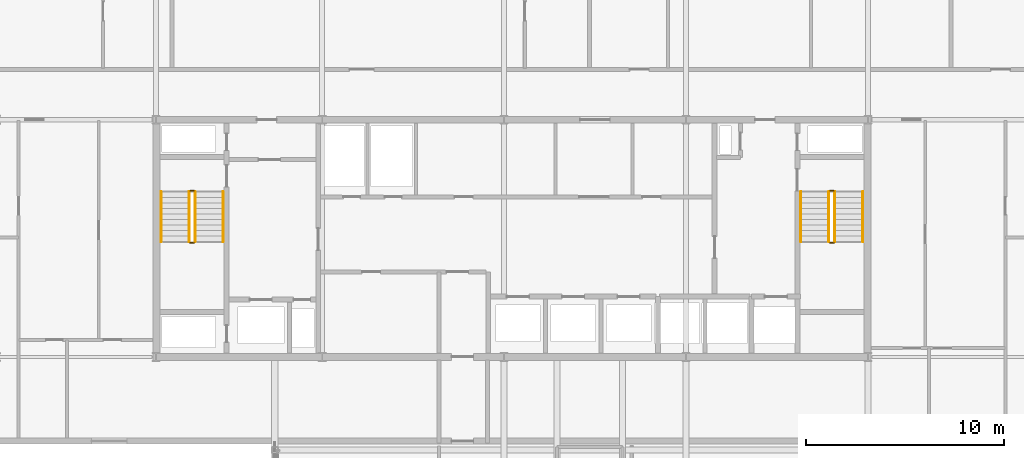
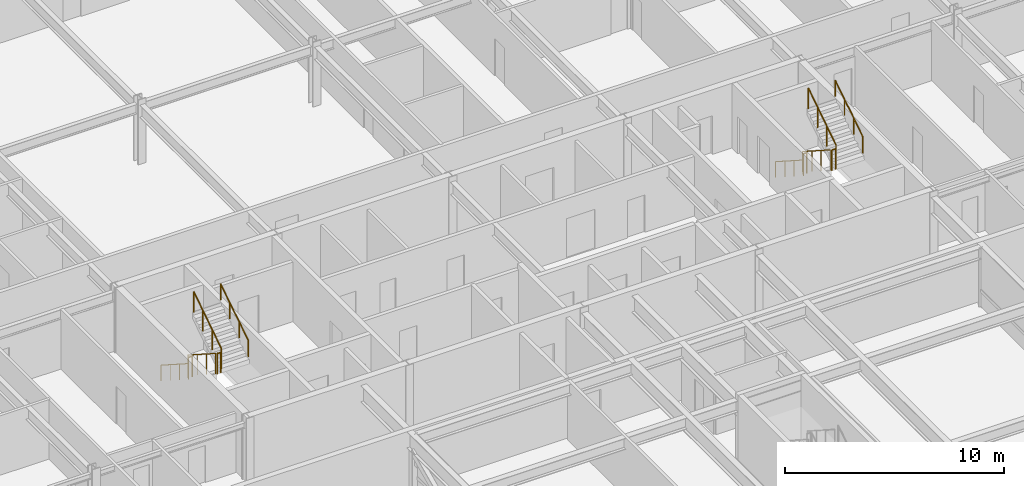
# One storey, part 35 of 36: 12 railings.
"""IFC4 building model written with IfcOpenShell, lengths in metres."""

from ifc_helpers import new_model, si_unit, direction, frame, origin, origin_2d, place, context, subcontext, project, spatial, circle, extrude, material, type_object, element, save


model = new_model("IFC4")

# Units and contexts
model_context = context("Model", 3, precision=1e-05, world=origin(), true_north=direction((0.0, 1.0)))
body_context = subcontext(model_context, "Body", "Model", "MODEL_VIEW")
ifc_project = project(units=[si_unit("LENGTHUNIT", "METRE"), si_unit("AREAUNIT", "SQUARE_METRE"), si_unit("VOLUMEUNIT", "CUBIC_METRE"), si_unit("PLANEANGLEUNIT", "RADIAN"), si_unit("MASSUNIT", "GRAM", prefix="KILO")], contexts=[model_context])

# Site, building, storey
site_placement = place(None, origin())
site = spatial("IfcSite", under=ifc_project, at=site_placement, CompositionType="ELEMENT")
building_placement = place(site_placement, origin())
building = spatial("IfcBuilding", under=site, at=building_placement, Name="Korimba Cascade Residences", CompositionType="ELEMENT")
storey_placement = place(building_placement, frame((0.0, 0.0, 146.5)))
storey = spatial("IfcBuildingStorey", under=building, at=storey_placement, Name="L42", CompositionType="ELEMENT", Elevation=146.5)

# Railings
ifc_material_1 = material(Name="Painted Steel Stairwell Guardrail", Category="steel")
railing_type_1 = type_object("IfcRailingType", Name="RLG-ST-GD1150", PredefinedType="GUARDRAIL", material=ifc_material_1)
railing_1_placement = place(storey_placement, frame((77.77001953125, 63.550048828125, 0.179931640625)))
element("IfcRailing", 1, at=railing_1_placement, inside=storey, type_object=railing_type_1, Name="L42 ST-W1 stair guard 1", PredefinedType="GUARDRAIL", context=body_context, shape_type="SweptSolid", body=[
    extrude(circle(Radius=0.02392578125, at=origin_2d()), frame((0.0, 0.0, 1.1259765625), z_axis=(0.0, -0.841162588446, 0.540782303519), x_axis=(1.0, 0.0, 0.0)), (0.0, 0.0, 1.0), 2.995849609375),
    extrude(circle(Radius=0.02099609375, at=origin_2d()), origin(), (0.0, 0.0, 1.0), 1.101806640625),
    extrude(circle(Radius=0.02099609375, at=origin_2d()), frame((0.0, -0.840087890625, 0.5400390625)), (0.0, 0.0, 1.0), 1.101806640625),
    extrude(circle(Radius=0.02099609375, at=origin_2d()), frame((0.0, -1.679931640625, 1.080078125)), (0.0, 0.0, 1.0), 1.101806640625),
    extrude(circle(Radius=0.02099609375, at=origin_2d()), frame((0.0, -2.52001953125, 1.6201171875)), (0.0, 0.0, 1.0), 1.101806640625),
])
railing_2_placement = place(storey_placement, frame((77.820068359375, 60.97998046875, 1.800048828125)))
element("IfcRailing", 2, at=railing_2_placement, inside=storey, type_object=railing_type_1, Name="L42 ST-W1 stair guard 2", PredefinedType="GUARDRAIL", context=body_context, shape_type="SweptSolid", body=[
    extrude(circle(Radius=0.02392578125, at=origin_2d()), frame((0.0, 0.0, 1.1259765625), z_axis=(1.0, 0.0, 0.0), x_axis=(0.0, 1.0, 0.0)), (0.0, 0.0, 1.0), 0.199951171875),
    extrude(circle(Radius=0.02099609375, at=origin_2d()), origin(), (0.0, 0.0, 1.0), 1.101806640625),
    extrude(circle(Radius=0.02099609375, at=origin_2d()), frame((0.199951171875, 0.0, 0.0)), (0.0, 0.0, 1.0), 1.101806640625),
])
railing_3_placement = place(storey_placement, frame((78.070068359375, 61.030029296875, 1.97998046875)))
element("IfcRailing", 3, at=railing_3_placement, inside=storey, type_object=railing_type_1, Name="L42 ST-W1 stair guard 3", PredefinedType="GUARDRAIL", context=body_context, shape_type="SweptSolid", body=[
    extrude(circle(Radius=0.02392578125, at=origin_2d()), frame((0.0, 0.0, 1.1259765625), z_axis=(0.0, 0.841162588446, 0.540782303519), x_axis=(-1.0, 0.0, 0.0)), (0.0, 0.0, 1.0), 2.995849609375),
    extrude(circle(Radius=0.02099609375, at=origin_2d()), origin(), (0.0, 0.0, 1.0), 1.101806640625),
    extrude(circle(Radius=0.02099609375, at=origin_2d()), frame((0.0, 0.840087890625, 0.5400390625)), (0.0, 0.0, 1.0), 1.101806640625),
    extrude(circle(Radius=0.02099609375, at=origin_2d()), frame((0.0, 1.679931640625, 1.080078125)), (0.0, 0.0, 1.0), 1.101806640625),
    extrude(circle(Radius=0.02099609375, at=origin_2d()), frame((0.0, 2.52001953125, 1.6201171875)), (0.0, 0.0, 1.0), 1.101806640625),
])
railing_4_placement = place(storey_placement, frame((77.820068359375, 63.60009765625, 0.0)))
element("IfcRailing", 4, at=railing_4_placement, inside=storey, type_object=railing_type_1, Name="L42 ST-W1 stair guard 4", PredefinedType="GUARDRAIL", context=body_context, shape_type="SweptSolid", body=[
    extrude(circle(Radius=0.02392578125, at=origin_2d()), frame((0.0, 0.0, 1.1259765625), z_axis=(1.0, 0.0, 0.0), x_axis=(0.0, 1.0, 0.0)), (0.0, 0.0, 1.0), 0.199951171875),
    extrude(circle(Radius=0.02099609375, at=origin_2d()), origin(), (0.0, 0.0, 1.0), 1.101806640625),
    extrude(circle(Radius=0.02099609375, at=origin_2d()), frame((0.199951171875, 0.0, 0.0)), (0.0, 0.0, 1.0), 1.101806640625),
])
railing_5_placement = place(storey_placement, frame((110.1298828125, 63.550048828125, 0.179931640625)))
element("IfcRailing", 5, at=railing_5_placement, inside=storey, type_object=railing_type_1, Name="L42 ST-W2 stair guard 1", PredefinedType="GUARDRAIL", context=body_context, shape_type="SweptSolid", body=[
    extrude(circle(Radius=0.02392578125, at=origin_2d()), frame((0.0, 0.0, 1.1259765625), z_axis=(0.0, -0.841162588446, 0.540782303519), x_axis=(1.0, 0.0, 0.0)), (0.0, 0.0, 1.0), 2.995849609375),
    extrude(circle(Radius=0.02099609375, at=origin_2d()), origin(), (0.0, 0.0, 1.0), 1.101806640625),
    extrude(circle(Radius=0.02099609375, at=origin_2d()), frame((0.0, -0.840087890625, 0.5400390625)), (0.0, 0.0, 1.0), 1.101806640625),
    extrude(circle(Radius=0.02099609375, at=origin_2d()), frame((0.0, -1.679931640625, 1.080078125)), (0.0, 0.0, 1.0), 1.101806640625),
    extrude(circle(Radius=0.02099609375, at=origin_2d()), frame((0.0, -2.52001953125, 1.6201171875)), (0.0, 0.0, 1.0), 1.101806640625),
])
railing_6_placement = place(storey_placement, frame((110.179931640625, 60.97998046875, 1.800048828125)))
element("IfcRailing", 6, at=railing_6_placement, inside=storey, type_object=railing_type_1, Name="L42 ST-W2 stair guard 2", PredefinedType="GUARDRAIL", context=body_context, shape_type="SweptSolid", body=[
    extrude(circle(Radius=0.02392578125, at=origin_2d()), frame((0.0, 0.0, 1.1259765625), z_axis=(1.0, 0.0, 0.0), x_axis=(0.0, 1.0, 0.0)), (0.0, 0.0, 1.0), 0.199951171875),
    extrude(circle(Radius=0.02099609375, at=origin_2d()), origin(), (0.0, 0.0, 1.0), 1.101806640625),
    extrude(circle(Radius=0.02099609375, at=origin_2d()), frame((0.199951171875, 0.0, 0.0)), (0.0, 0.0, 1.0), 1.101806640625),
])
railing_7_placement = place(storey_placement, frame((110.429931640625, 61.030029296875, 1.97998046875)))
element("IfcRailing", 7, at=railing_7_placement, inside=storey, type_object=railing_type_1, Name="L42 ST-W2 stair guard 3", PredefinedType="GUARDRAIL", context=body_context, shape_type="SweptSolid", body=[
    extrude(circle(Radius=0.02392578125, at=origin_2d()), frame((0.0, 0.0, 1.1259765625), z_axis=(0.0, 0.841162588446, 0.540782303519), x_axis=(-1.0, 0.0, 0.0)), (0.0, 0.0, 1.0), 2.995849609375),
    extrude(circle(Radius=0.02099609375, at=origin_2d()), origin(), (0.0, 0.0, 1.0), 1.101806640625),
    extrude(circle(Radius=0.02099609375, at=origin_2d()), frame((0.0, 0.840087890625, 0.5400390625)), (0.0, 0.0, 1.0), 1.101806640625),
    extrude(circle(Radius=0.02099609375, at=origin_2d()), frame((0.0, 1.679931640625, 1.080078125)), (0.0, 0.0, 1.0), 1.101806640625),
    extrude(circle(Radius=0.02099609375, at=origin_2d()), frame((0.0, 2.52001953125, 1.6201171875)), (0.0, 0.0, 1.0), 1.101806640625),
])
railing_8_placement = place(storey_placement, frame((110.179931640625, 63.60009765625, 0.0)))
element("IfcRailing", 8, at=railing_8_placement, inside=storey, type_object=railing_type_1, Name="L42 ST-W2 stair guard 4", PredefinedType="GUARDRAIL", context=body_context, shape_type="SweptSolid", body=[
    extrude(circle(Radius=0.02392578125, at=origin_2d()), frame((0.0, 0.0, 1.1259765625), z_axis=(1.0, 0.0, 0.0), x_axis=(0.0, 1.0, 0.0)), (0.0, 0.0, 1.0), 0.199951171875),
    extrude(circle(Radius=0.02099609375, at=origin_2d()), origin(), (0.0, 0.0, 1.0), 1.101806640625),
    extrude(circle(Radius=0.02099609375, at=origin_2d()), frame((0.199951171875, 0.0, 0.0)), (0.0, 0.0, 1.0), 1.101806640625),
])
ifc_material_2 = material(Name="Brushed Stainless Steel Handrail", Category="steel")
railing_type_2 = type_object("IfcRailingType", Name="RLG-ST-HR900", PredefinedType="HANDRAIL", material=ifc_material_2)
railing_9_placement = place(storey_placement, frame((76.35009765625, 63.550048828125, 0.36376953125)))
element("IfcRailing", 9, at=railing_9_placement, inside=storey, type_object=railing_type_2, Name="L42 ST-W1 stair handrail 1", PredefinedType="HANDRAIL", context=body_context, shape_type="SweptSolid", body=[
    extrude(circle(Radius=0.02392578125, at=origin_2d()), frame((0.0, 0.0, 0.8759765625), z_axis=(0.0, -0.841162588446, 0.540782303519), x_axis=(1.0, 0.0, 0.0)), (0.0, 0.0, 1.0), 2.995849609375),
    extrude(circle(Radius=0.02099609375, at=origin_2d()), origin(), (0.0, 0.0, 1.0), 0.851806640625),
    extrude(circle(Radius=0.02099609375, at=origin_2d()), frame((0.0, -0.840087890625, 0.5400390625)), (0.0, 0.0, 1.0), 0.851806640625),
    extrude(circle(Radius=0.02099609375, at=origin_2d()), frame((0.0, -1.679931640625, 1.080078125)), (0.0, 0.0, 1.0), 0.851806640625),
    extrude(circle(Radius=0.02099609375, at=origin_2d()), frame((0.0, -2.52001953125, 1.6201171875)), (0.0, 0.0, 1.0), 0.851806640625),
])
railing_10_placement = place(storey_placement, frame((79.489990234375, 61.030029296875, 2.163818359375)))
element("IfcRailing", 10, at=railing_10_placement, inside=storey, type_object=railing_type_2, Name="L42 ST-W1 stair handrail 2", PredefinedType="HANDRAIL", context=body_context, shape_type="SweptSolid", body=[
    extrude(circle(Radius=0.02392578125, at=origin_2d()), frame((0.0, 0.0, 0.8759765625), z_axis=(0.0, 0.841199657755, 0.540724639528), x_axis=(-1.0, 0.0, 0.0)), (0.0, 0.0, 1.0), 2.995849609375),
    extrude(circle(Radius=0.02099609375, at=origin_2d()), origin(), (0.0, 0.0, 1.0), 0.851806640625),
    extrude(circle(Radius=0.02099609375, at=origin_2d()), frame((0.0, 0.840087890625, 0.5400390625)), (0.0, 0.0, 1.0), 0.851806640625),
    extrude(circle(Radius=0.02099609375, at=origin_2d()), frame((0.0, 1.679931640625, 1.079833984375)), (0.0, 0.0, 1.0), 0.851806640625),
    extrude(circle(Radius=0.02099609375, at=origin_2d()), frame((0.0, 2.52001953125, 1.619873046875)), (0.0, 0.0, 1.0), 0.851806640625),
])
railing_11_placement = place(storey_placement, frame((108.7099609375, 63.550048828125, 0.36376953125)))
element("IfcRailing", 11, at=railing_11_placement, inside=storey, type_object=railing_type_2, Name="L42 ST-W2 stair handrail 1", PredefinedType="HANDRAIL", context=body_context, shape_type="SweptSolid", body=[
    extrude(circle(Radius=0.02392578125, at=origin_2d()), frame((0.0, 0.0, 0.8759765625), z_axis=(0.0, -0.841162588446, 0.540782303519), x_axis=(1.0, 0.0, 0.0)), (0.0, 0.0, 1.0), 2.995849609375),
    extrude(circle(Radius=0.02099609375, at=origin_2d()), origin(), (0.0, 0.0, 1.0), 0.851806640625),
    extrude(circle(Radius=0.02099609375, at=origin_2d()), frame((0.0, -0.840087890625, 0.5400390625)), (0.0, 0.0, 1.0), 0.851806640625),
    extrude(circle(Radius=0.02099609375, at=origin_2d()), frame((0.0, -1.679931640625, 1.080078125)), (0.0, 0.0, 1.0), 0.851806640625),
    extrude(circle(Radius=0.02099609375, at=origin_2d()), frame((0.0, -2.52001953125, 1.6201171875)), (0.0, 0.0, 1.0), 0.851806640625),
])
railing_12_placement = place(storey_placement, frame((111.85009765625, 61.030029296875, 2.163818359375)))
element("IfcRailing", 12, at=railing_12_placement, inside=storey, type_object=railing_type_2, Name="L42 ST-W2 stair handrail 2", PredefinedType="HANDRAIL", context=body_context, shape_type="SweptSolid", body=[
    extrude(circle(Radius=0.02392578125, at=origin_2d()), frame((0.0, 0.0, 0.8759765625), z_axis=(0.0, 0.841199657755, 0.540724639528), x_axis=(-1.0, 0.0, 0.0)), (0.0, 0.0, 1.0), 2.995849609375),
    extrude(circle(Radius=0.02099609375, at=origin_2d()), origin(), (0.0, 0.0, 1.0), 0.851806640625),
    extrude(circle(Radius=0.02099609375, at=origin_2d()), frame((0.0, 0.840087890625, 0.5400390625)), (0.0, 0.0, 1.0), 0.851806640625),
    extrude(circle(Radius=0.02099609375, at=origin_2d()), frame((0.0, 1.679931640625, 1.079833984375)), (0.0, 0.0, 1.0), 0.851806640625),
    extrude(circle(Radius=0.02099609375, at=origin_2d()), frame((0.0, 2.52001953125, 1.619873046875)), (0.0, 0.0, 1.0), 0.851806640625),
])

save(model, "model.ifc")
